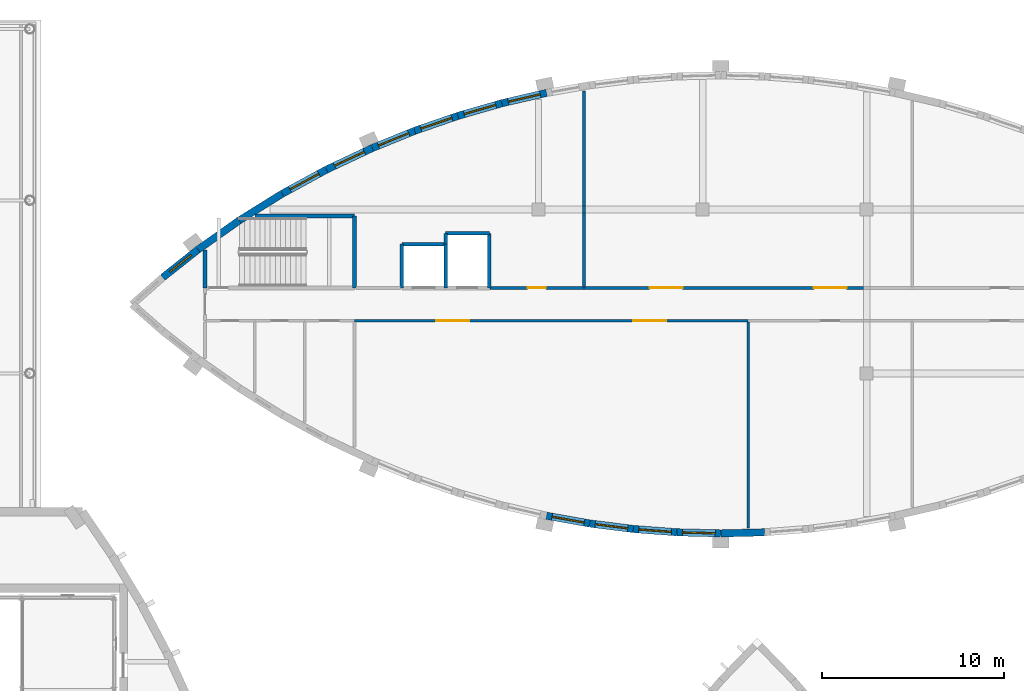
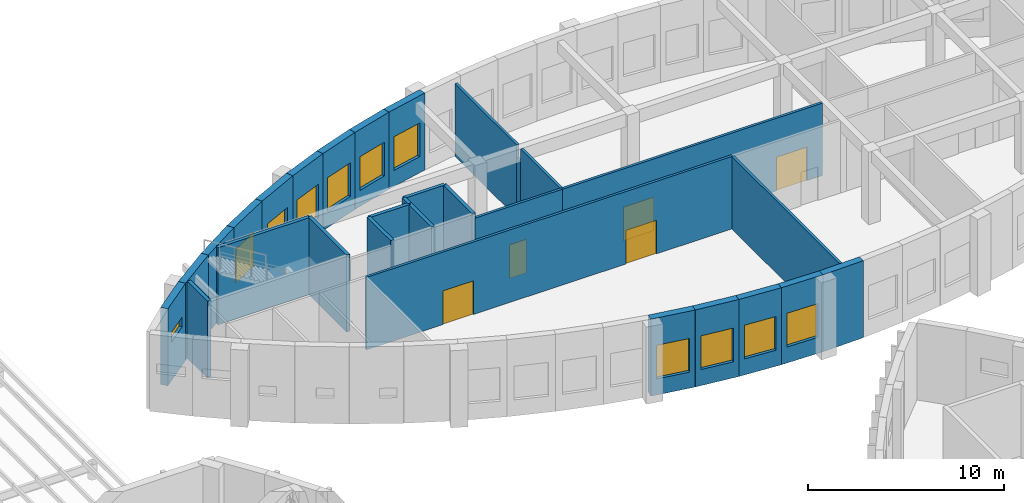
# One storey, part 71 of 93: 30 walls, 11 windows, 5 doors, 16 openings.
"""IFC4 building model written with IfcOpenShell, lengths in metres."""

from ifc_helpers import new_model, si_unit, direction, frame, frame_2d, origin, place, context, subcontext, project, spatial, rectangle, extrude, material, layer, layer_set, type_object, element, fill, save


model = new_model("IFC4")

# Units and contexts
model_context = context("Model", 3, precision=1e-05, world=origin(), true_north=direction((0.0, 1.0)))
body_context = subcontext(model_context, "Body", "Model", "MODEL_VIEW")
ifc_project = project(units=[si_unit("LENGTHUNIT", "METRE"), si_unit("AREAUNIT", "SQUARE_METRE"), si_unit("VOLUMEUNIT", "CUBIC_METRE"), si_unit("PLANEANGLEUNIT", "RADIAN"), si_unit("MASSUNIT", "GRAM", prefix="KILO")], contexts=[model_context])

# Site, building, storey
site_placement = place(None, origin())
site = spatial("IfcSite", under=ifc_project, at=site_placement, CompositionType="ELEMENT")
building_placement = place(site_placement, origin())
building = spatial("IfcBuilding", under=site, at=building_placement, Name="Tide Square Theatres", CompositionType="ELEMENT")
storey_placement = place(building_placement, frame((0.0, 0.0, 5.39990234375)))
storey = spatial("IfcBuildingStorey", under=building, at=storey_placement, Name="L01", CompositionType="ELEMENT", Elevation=5.39990234375)

# Wall, openings, doors
ifc_material_1 = material(Name="Gypsum board on steel studs", Category="steel")
ifc_layer_1 = layer(ifc_material_1, 0.14990234375)
ifc_layer_set_1 = layer_set([ifc_layer_1], Name="Gypsum board on steel studs")
wall_type_1 = type_object("IfcWallType", Name="Partition 150 thick", PredefinedType="PARTITIONING", material=ifc_layer_set_1)
wall_1_placement = place(storey_placement, frame((131.5, 96.89990234375, 0.0), z_axis=(0.0, 0.0, 1.0), x_axis=(-1.0, 0.0, 0.0)))
wall_1 = element("IfcWall", 1, at=wall_1_placement, inside=storey, type_object=wall_type_1, Name="Rehearsal Block partition", PredefinedType="PARTITIONING", context=body_context, shape_type="SweptSolid", body=[
    extrude(rectangle(XDim=21.60009765625, YDim=0.14990234375, at=frame_2d((10.800048828125, 0.0))), origin(), (0.0, 0.0, 1.0), 4.52001953125),
])
opening_1_placement = place(wall_1_placement, frame((15.300048828125, 0.0, 0.0)))
opening_1 = element("IfcOpeningElement", 2, at=opening_1_placement, cuts=wall_1, Name="Opening R1-09", PredefinedType="OPENING", context=body_context, shape_type="SweptSolid", body=[
    extrude(rectangle(XDim=1.800048828125, YDim=2.10009765625, at=frame_2d((0.89990234375, 1.050048828125))), frame((0.0, 0.0849609375, 0.0), z_axis=(0.0, -1.0, 0.0), x_axis=(1.0, 0.0, 0.0)), (0.0, 0.0, 1.0), 0.169921875),
])
opening_2_placement = place(wall_1_placement, frame((4.5, 0.0, 0.0)))
opening_2 = element("IfcOpeningElement", 3, at=opening_2_placement, cuts=wall_1, Name="Opening R1-10", PredefinedType="OPENING", context=body_context, shape_type="SweptSolid", body=[
    extrude(rectangle(XDim=1.800048828125, YDim=2.10009765625, at=frame_2d((0.89990234375, 1.050048828125))), frame((0.0, 0.0849609375, 0.0), z_axis=(0.0, -1.0, 0.0), x_axis=(1.0, 0.0, 0.0)), (0.0, 0.0, 1.0), 0.169921875),
])
ifc_material_2 = material(Name="Hardwood timber", Category="wood")
door_type_1 = type_object("IfcDoorType", Name="Door 1800 x 2100 double leaf", OperationType="DOUBLE_DOOR_SINGLE_SWING", PredefinedType="DOOR", material=ifc_material_2)
door_1_placement = place(opening_1_placement, origin())
door_1 = element("IfcDoor", 4, at=door_1_placement, inside=storey, type_object=door_type_1, Name="Rehearsal Block door R1-09 to Dance Studio", OperationType="DOUBLE_DOOR_SINGLE_SWING", OverallHeight=2.10009765625, OverallWidth=1.800048828125, PredefinedType="DOOR", context=body_context, shape_type="SweptSolid", body=[
    extrude(rectangle(XDim=1.800048828125, YDim=2.10009765625, at=frame_2d((0.89990234375, 1.050048828125))), frame((0.0, 0.02490234375, 0.0), z_axis=(0.0, -1.0, 0.0), x_axis=(1.0, 0.0, 0.0)), (0.0, 0.0, 1.0), 0.050048828125),
])
fill(opening_1, door_1)
door_2_placement = place(opening_2_placement, origin())
door_2 = element("IfcDoor", 5, at=door_2_placement, inside=storey, type_object=door_type_1, Name="Rehearsal Block door R1-10 to Dance Studio", OperationType="DOUBLE_DOOR_SINGLE_SWING", OverallHeight=2.10009765625, OverallWidth=1.800048828125, PredefinedType="DOOR", context=body_context, shape_type="SweptSolid", body=[
    extrude(rectangle(XDim=1.800048828125, YDim=2.10009765625, at=frame_2d((0.89990234375, 1.050048828125))), frame((0.0, 0.02490234375, 0.0), z_axis=(0.0, -1.0, 0.0), x_axis=(1.0, 0.0, 0.0)), (0.0, 0.0, 1.0), 0.050048828125),
])
fill(opening_2, door_2)

# Wall, opening, door
wall_2_placement = place(storey_placement, frame((117.330078125, 98.699951171875, 0.0), z_axis=(0.0, 0.0, 1.0), x_axis=(1.0, 0.0, 0.0)))
wall_2 = element("IfcWall", 6, at=wall_2_placement, inside=storey, type_object=wall_type_1, Name="Rehearsal Block partition", PredefinedType="PARTITIONING", context=body_context, shape_type="SweptSolid", body=[
    extrude(rectangle(XDim=5.169921875, YDim=0.14990234375, at=frame_2d((2.5849609375, 0.0))), origin(), (0.0, 0.0, 1.0), 4.52001953125),
])
opening_3_placement = place(wall_2_placement, frame((2.070068359375, 0.0, 0.0)))
opening_3 = element("IfcOpeningElement", 7, at=opening_3_placement, cuts=wall_2, Name="Opening R1-13", PredefinedType="OPENING", context=body_context, shape_type="SweptSolid", body=[
    extrude(rectangle(XDim=1.0, YDim=2.10009765625, at=frame_2d((0.5, 1.050048828125))), frame((0.0, 0.0849609375, 0.0), z_axis=(0.0, -1.0, 0.0), x_axis=(1.0, 0.0, 0.0)), (0.0, 0.0, 1.0), 0.169921875),
])
ifc_material_3 = material(Name="Hardwood timber", Category="wood")
door_type_2 = type_object("IfcDoorType", Name="Door 1000 x 2100 single leaf", OperationType="NOTDEFINED", PredefinedType="DOOR", material=ifc_material_3)
door_3_placement = place(opening_3_placement, origin())
door_3 = element("IfcDoor", 8, at=door_3_placement, inside=storey, type_object=door_type_2, Name="Rehearsal Block door R1-13 to Rehearsal Room 01", OperationType="SINGLE_SWING_RIGHT", OverallHeight=2.10009765625, OverallWidth=1.0, PredefinedType="DOOR", context=body_context, shape_type="SweptSolid", body=[
    extrude(rectangle(XDim=1.0, YDim=2.10009765625, at=frame_2d((0.5, 1.050048828125))), frame((0.0, 0.02490234375, 0.0), z_axis=(0.0, -1.0, 0.0), x_axis=(1.0, 0.0, 0.0)), (0.0, 0.0, 1.0), 0.050048828125),
])
fill(opening_3, door_3)

# Wall, openings, doors
wall_3_placement = place(storey_placement, frame((122.5, 98.699951171875, 0.0), z_axis=(0.0, 0.0, 1.0), x_axis=(1.0, 0.0, 0.0)))
wall_3 = element("IfcWall", 9, at=wall_3_placement, inside=storey, type_object=wall_type_1, Name="Rehearsal Block partition", PredefinedType="PARTITIONING", context=body_context, shape_type="SweptSolid", body=[
    extrude(rectangle(XDim=15.324951171875, YDim=0.14990234375, at=frame_2d((7.66259765625, 0.0))), origin(), (0.0, 0.0, 1.0), 4.52001953125),
])
opening_4_placement = place(wall_3_placement, frame((12.60009765625, 0.0, 0.0)))
opening_4 = element("IfcOpeningElement", 10, at=opening_4_placement, cuts=wall_3, Name="Opening R1-14", PredefinedType="OPENING", context=body_context, shape_type="SweptSolid", body=[
    extrude(rectangle(XDim=1.800048828125, YDim=2.10009765625, at=frame_2d((0.89990234375, 1.050048828125))), frame((0.0, 0.0849609375, 0.0), z_axis=(0.0, -1.0, 0.0), x_axis=(1.0, 0.0, 0.0)), (0.0, 0.0, 1.0), 0.169921875),
])
opening_5_placement = place(wall_3_placement, frame((3.60009765625, 0.0, 0.0)))
opening_5 = element("IfcOpeningElement", 11, at=opening_5_placement, cuts=wall_3, Name="Opening R1-15", PredefinedType="OPENING", context=body_context, shape_type="SweptSolid", body=[
    extrude(rectangle(XDim=1.800048828125, YDim=2.10009765625, at=frame_2d((0.89990234375, 1.050048828125))), frame((0.0, 0.0849609375, 0.0), z_axis=(0.0, -1.0, 0.0), x_axis=(1.0, 0.0, 0.0)), (0.0, 0.0, 1.0), 0.169921875),
])
door_4_placement = place(opening_4_placement, origin())
door_4 = element("IfcDoor", 12, at=door_4_placement, inside=storey, type_object=door_type_1, Name="Rehearsal Block door R1-14 to Rehearsal Room 02", OperationType="DOUBLE_DOOR_SINGLE_SWING", OverallHeight=2.10009765625, OverallWidth=1.800048828125, PredefinedType="DOOR", context=body_context, shape_type="SweptSolid", body=[
    extrude(rectangle(XDim=1.800048828125, YDim=2.10009765625, at=frame_2d((0.89990234375, 1.050048828125))), frame((0.0, 0.02490234375, 0.0), z_axis=(0.0, -1.0, 0.0), x_axis=(1.0, 0.0, 0.0)), (0.0, 0.0, 1.0), 0.050048828125),
])
fill(opening_4, door_4)
door_5_placement = place(opening_5_placement, origin())
door_5 = element("IfcDoor", 13, at=door_5_placement, inside=storey, type_object=door_type_1, Name="Rehearsal Block door R1-15 to Rehearsal Room 02", OperationType="DOUBLE_DOOR_SINGLE_SWING", OverallHeight=2.10009765625, OverallWidth=1.800048828125, PredefinedType="DOOR", context=body_context, shape_type="SweptSolid", body=[
    extrude(rectangle(XDim=1.800048828125, YDim=2.10009765625, at=frame_2d((0.89990234375, 1.050048828125))), frame((0.0, 0.02490234375, 0.0), z_axis=(0.0, -1.0, 0.0), x_axis=(1.0, 0.0, 0.0)), (0.0, 0.0, 1.0), 0.050048828125),
])
fill(opening_5, door_5)

# Walls
wall_4_placement = place(storey_placement, frame((122.5, 109.515869140625, 0.0), z_axis=(0.0, 0.0, 1.0), x_axis=(0.0, -1.0, 0.0)))
element("IfcWall", 14, at=wall_4_placement, inside=storey, type_object=wall_type_1, Name="Rehearsal Block partition", PredefinedType="PARTITIONING", context=body_context, shape_type="SweptSolid", body=[
    extrude(rectangle(XDim=6.31591796875, YDim=0.14990234375, at=frame_2d((3.157958984375, 0.0))), origin(), (0.0, 0.0, 1.0), 4.52001953125),
])
wall_5_placement = place(storey_placement, frame((122.5, 103.199951171875, 0.0), z_axis=(0.0, 0.0, 1.0), x_axis=(0.0, -1.0, 0.0)))
element("IfcWall", 15, at=wall_5_placement, inside=storey, type_object=wall_type_1, Name="Rehearsal Block partition", PredefinedType="PARTITIONING", context=body_context, shape_type="SweptSolid", body=[
    extrude(rectangle(XDim=0.39990234375, YDim=0.14990234375, at=frame_2d((0.199951171875, 0.0))), origin(), (0.0, 0.0, 1.0), 3.72021484375),
])
wall_6_placement = place(storey_placement, frame((122.5, 102.800048828125, 0.0), z_axis=(0.0, 0.0, 1.0), x_axis=(0.0, -1.0, 0.0)))
element("IfcWall", 16, at=wall_6_placement, inside=storey, type_object=wall_type_1, Name="Rehearsal Block partition", PredefinedType="PARTITIONING", context=body_context, shape_type="SweptSolid", body=[
    extrude(rectangle(XDim=4.0400390625, YDim=0.14990234375, at=frame_2d((2.02001953125, 0.0))), origin(), (0.0, 0.0, 1.0), 4.52001953125),
])
wall_7_placement = place(storey_placement, frame((131.5, 96.840087890625, 0.0), z_axis=(0.0, 0.0, 1.0), x_axis=(0.0, -1.0, 0.0)))
element("IfcWall", 17, at=wall_7_placement, inside=storey, type_object=wall_type_1, Name="Rehearsal Block partition", PredefinedType="PARTITIONING", context=body_context, shape_type="SweptSolid", body=[
    extrude(rectangle(XDim=11.321044921875, YDim=0.14990234375, at=frame_2d((5.66064453125, 0.0))), origin(), (0.0, 0.0, 1.0), 4.52001953125),
])

# Wall, opening, window
ifc_material_4 = material(Name="Concrete C40", Category="concrete")
ifc_layer_2 = layer(ifc_material_4, 0.39990234375)
ifc_layer_set_2 = layer_set([ifc_layer_2], Name="Concrete C40")
wall_type_2 = type_object("IfcWallType", Name="RC curved wall 400 thick", PredefinedType="SOLIDWALL", material=ifc_layer_set_2)
wall_8_placement = place(storey_placement, frame((120.440185546875, 86.197021484375, 0.0), z_axis=(0.0, 0.0, 1.0), x_axis=(0.984524011381, -0.175249738987, 0.0)))
wall_8 = element("IfcWall", 18, at=wall_8_placement, inside=storey, type_object=wall_type_2, Name="Rehearsal Block perimeter wall 010", PredefinedType="SOLIDWALL", context=body_context, shape_type="SweptSolid", body=[
    extrude(rectangle(XDim=2.406005859375, YDim=0.39990234375, at=frame_2d((1.203125, 0.0))), origin(), (0.0, 0.0, 1.0), 4.800048828125),
])
opening_6_placement = place(wall_8_placement, frame((0.302978515625, 0.0, 1.0)))
opening_6 = element("IfcOpeningElement", 19, at=opening_6_placement, cuts=wall_8, Name="Opening WN-14", PredefinedType="OPENING", context=body_context, shape_type="SweptSolid", body=[
    extrude(rectangle(XDim=1.800048828125, YDim=2.10009765625, at=frame_2d((0.89990234375, 1.050048828125))), frame((0.0, 0.2099609375, 0.0), z_axis=(0.0, -1.0, 0.0), x_axis=(1.0, 0.0, 0.0)), (0.0, 0.0, 1.0), 0.419921875),
])
ifc_material_5 = material(Name="Aluminium with laminated glass", Category="aluminium")
window_type_1 = type_object("IfcWindowType", Name="Window 1800 x 2100", PartitioningType="DOUBLE_PANEL_VERTICAL", PredefinedType="WINDOW", material=ifc_material_5)
window_1_placement = place(opening_6_placement, origin())
window_1 = element("IfcWindow", 20, at=window_1_placement, inside=storey, type_object=window_type_1, Name="Rehearsal Block window L01-53", OverallHeight=2.10009765625, OverallWidth=1.800048828125, PartitioningType="SINGLE_PANEL", PredefinedType="WINDOW", context=body_context, shape_type="SweptSolid", body=[
    extrude(rectangle(XDim=1.800048828125, YDim=2.10009765625, at=frame_2d((0.89990234375, 1.050048828125))), frame((0.0, 0.030029296875, 0.0), z_axis=(0.0, -1.0, 0.0), x_axis=(1.0, 0.0, 0.0)), (0.0, 0.0, 1.0), 0.06005859375),
])
fill(opening_6, window_1)

wall_9_placement = place(storey_placement, frame((122.808837890625, 85.775390625, 0.0), z_axis=(0.0, 0.0, 1.0), x_axis=(0.99208939311, -0.125533406227, 0.0)))
wall_9 = element("IfcWall", 21, at=wall_9_placement, inside=storey, type_object=wall_type_2, Name="Rehearsal Block perimeter wall 011", PredefinedType="SOLIDWALL", context=body_context, shape_type="SweptSolid", body=[
    extrude(rectangle(XDim=2.40576171875, YDim=0.39990234375, at=frame_2d((1.202880859375, 0.0))), origin(), (0.0, 0.0, 1.0), 4.800048828125),
])
opening_7_placement = place(wall_9_placement, frame((0.302978515625, 0.0, 1.0)))
opening_7 = element("IfcOpeningElement", 22, at=opening_7_placement, cuts=wall_9, Name="Opening WN-14", PredefinedType="OPENING", context=body_context, shape_type="SweptSolid", body=[
    extrude(rectangle(XDim=1.800048828125, YDim=2.10009765625, at=frame_2d((0.89990234375, 1.050048828125))), frame((0.0, 0.2099609375, 0.0), z_axis=(0.0, -1.0, 0.0), x_axis=(1.0, 0.0, 0.0)), (0.0, 0.0, 1.0), 0.419921875),
])
window_2_placement = place(opening_7_placement, origin())
window_2 = element("IfcWindow", 23, at=window_2_placement, inside=storey, type_object=window_type_1, Name="Rehearsal Block window L01-54", OverallHeight=2.10009765625, OverallWidth=1.800048828125, PartitioningType="SINGLE_PANEL", PredefinedType="WINDOW", context=body_context, shape_type="SweptSolid", body=[
    extrude(rectangle(XDim=1.800048828125, YDim=2.10009765625, at=frame_2d((0.89990234375, 1.050048828125))), frame((0.0, 0.030029296875, 0.0), z_axis=(0.0, -1.0, 0.0), x_axis=(1.0, 0.0, 0.0)), (0.0, 0.0, 1.0), 0.06005859375),
])
fill(opening_7, window_2)

wall_10_placement = place(storey_placement, frame((125.195556640625, 85.473388671875, 0.0), z_axis=(0.0, 0.0, 1.0), x_axis=(0.997146276918, -0.075493724435, 0.0)))
wall_10 = element("IfcWall", 24, at=wall_10_placement, inside=storey, type_object=wall_type_2, Name="Rehearsal Block perimeter wall 012", PredefinedType="SOLIDWALL", context=body_context, shape_type="SweptSolid", body=[
    extrude(rectangle(XDim=2.406005859375, YDim=0.39990234375, at=frame_2d((1.203125, 0.0))), origin(), (0.0, 0.0, 1.0), 4.800048828125),
])
opening_8_placement = place(wall_10_placement, frame((0.302978515625, 0.0, 1.0)))
opening_8 = element("IfcOpeningElement", 25, at=opening_8_placement, cuts=wall_10, Name="Opening WN-14", PredefinedType="OPENING", context=body_context, shape_type="SweptSolid", body=[
    extrude(rectangle(XDim=1.800048828125, YDim=2.10009765625, at=frame_2d((0.89990234375, 1.050048828125))), frame((0.0, 0.2099609375, 0.0), z_axis=(0.0, -1.0, 0.0), x_axis=(1.0, 0.0, 0.0)), (0.0, 0.0, 1.0), 0.419921875),
])
window_3_placement = place(opening_8_placement, origin())
window_3 = element("IfcWindow", 26, at=window_3_placement, inside=storey, type_object=window_type_1, Name="Rehearsal Block window L01-55", OverallHeight=2.10009765625, OverallWidth=1.800048828125, PartitioningType="SINGLE_PANEL", PredefinedType="WINDOW", context=body_context, shape_type="SweptSolid", body=[
    extrude(rectangle(XDim=1.800048828125, YDim=2.10009765625, at=frame_2d((0.89990234375, 1.050048828125))), frame((0.0, 0.030029296875, 0.0), z_axis=(0.0, -1.0, 0.0), x_axis=(1.0, 0.0, 0.0)), (0.0, 0.0, 1.0), 0.06005859375),
])
fill(opening_8, window_3)

wall_11_placement = place(storey_placement, frame((127.5947265625, 85.291748046875, 0.0), z_axis=(0.0, 0.0, 1.0), x_axis=(0.999683321759, -0.025164582196, 0.0)))
wall_11 = element("IfcWall", 27, at=wall_11_placement, inside=storey, type_object=wall_type_2, Name="Rehearsal Block perimeter wall 013", PredefinedType="SOLIDWALL", context=body_context, shape_type="SweptSolid", body=[
    extrude(rectangle(XDim=2.406005859375, YDim=0.39990234375, at=frame_2d((1.203125, 0.0))), origin(), (0.0, 0.0, 1.0), 4.800048828125),
])
opening_9_placement = place(wall_11_placement, frame((0.302978515625, 0.0, 1.0)))
opening_9 = element("IfcOpeningElement", 28, at=opening_9_placement, cuts=wall_11, Name="Opening WN-14", PredefinedType="OPENING", context=body_context, shape_type="SweptSolid", body=[
    extrude(rectangle(XDim=1.800048828125, YDim=2.10009765625, at=frame_2d((0.89990234375, 1.050048828125))), frame((0.0, 0.2099609375, 0.0), z_axis=(0.0, -1.0, 0.0), x_axis=(1.0, 0.0, 0.0)), (0.0, 0.0, 1.0), 0.419921875),
])
window_4_placement = place(opening_9_placement, origin())
window_4 = element("IfcWindow", 29, at=window_4_placement, inside=storey, type_object=window_type_1, Name="Rehearsal Block window L01-56", OverallHeight=2.10009765625, OverallWidth=1.800048828125, PartitioningType="SINGLE_PANEL", PredefinedType="WINDOW", context=body_context, shape_type="SweptSolid", body=[
    extrude(rectangle(XDim=1.800048828125, YDim=2.10009765625, at=frame_2d((0.89990234375, 1.050048828125))), frame((0.0, 0.030029296875, 0.0), z_axis=(0.0, -1.0, 0.0), x_axis=(1.0, 0.0, 0.0)), (0.0, 0.0, 1.0), 0.06005859375),
])
fill(opening_9, window_4)

# Wall
wall_12_placement = place(storey_placement, frame((130.0, 85.231201171875, 0.0), z_axis=(0.0, 0.0, 1.0), x_axis=(0.999683321759, 0.025164582196, 0.0)))
element("IfcWall", 30, at=wall_12_placement, inside=storey, type_object=wall_type_2, Name="Rehearsal Block perimeter wall 014", PredefinedType="SOLIDWALL", context=body_context, shape_type="SweptSolid", body=[
    extrude(rectangle(XDim=2.406005859375, YDim=0.39990234375, at=frame_2d((1.203125, 0.0))), origin(), (0.0, 0.0, 1.0), 4.800048828125),
])

# Wall, opening, window
wall_13_placement = place(storey_placement, frame((120.440185546875, 109.403076171875, 0.0), z_axis=(0.0, 0.0, 1.0), x_axis=(-0.974189274843, -0.225732710925, 0.0)))
wall_13 = element("IfcWall", 31, at=wall_13_placement, inside=storey, type_object=wall_type_2, Name="Rehearsal Block perimeter wall 046", PredefinedType="SOLIDWALL", context=body_context, shape_type="SweptSolid", body=[
    extrude(rectangle(XDim=2.511474609375, YDim=0.39990234375, at=frame_2d((1.255859375, 0.0))), origin(), (0.0, 0.0, 1.0), 4.800048828125),
])
opening_10_placement = place(wall_13_placement, frame((0.355712890625, 0.0, 1.0)))
opening_10 = element("IfcOpeningElement", 32, at=opening_10_placement, cuts=wall_13, Name="Opening WN-14", PredefinedType="OPENING", context=body_context, shape_type="SweptSolid", body=[
    extrude(rectangle(XDim=1.800048828125, YDim=2.10009765625, at=frame_2d((0.89990234375, 1.050048828125))), frame((0.0, 0.2099609375, 0.0), z_axis=(0.0, -1.0, 0.0), x_axis=(1.0, 0.0, 0.0)), (0.0, 0.0, 1.0), 0.419921875),
])
window_5_placement = place(opening_10_placement, origin())
window_5 = element("IfcWindow", 33, at=window_5_placement, inside=storey, type_object=window_type_1, Name="Rehearsal Block window L01-83", OverallHeight=2.10009765625, OverallWidth=1.800048828125, PartitioningType="SINGLE_PANEL", PredefinedType="WINDOW", context=body_context, shape_type="SweptSolid", body=[
    extrude(rectangle(XDim=1.800048828125, YDim=2.10009765625, at=frame_2d((0.89990234375, 1.050048828125))), frame((0.0, 0.030029296875, 0.0), z_axis=(0.0, -1.0, 0.0), x_axis=(1.0, 0.0, 0.0)), (0.0, 0.0, 1.0), 0.06005859375),
])
fill(opening_10, window_5)

wall_14_placement = place(storey_placement, frame((117.99365234375, 108.836181640625, 0.0), z_axis=(0.0, 0.0, 1.0), x_axis=(-0.961008605775, -0.276518461637, 0.0)))
wall_14 = element("IfcWall", 34, at=wall_14_placement, inside=storey, type_object=wall_type_2, Name="Rehearsal Block perimeter wall 047", PredefinedType="SOLIDWALL", context=body_context, shape_type="SweptSolid", body=[
    extrude(rectangle(XDim=2.510986328125, YDim=0.39990234375, at=frame_2d((1.25537109375, 0.0))), origin(), (0.0, 0.0, 1.0), 4.800048828125),
])
opening_11_placement = place(wall_14_placement, frame((0.35546875, 0.0, 1.0)))
opening_11 = element("IfcOpeningElement", 35, at=opening_11_placement, cuts=wall_14, Name="Opening WN-14", PredefinedType="OPENING", context=body_context, shape_type="SweptSolid", body=[
    extrude(rectangle(XDim=1.800048828125, YDim=2.10009765625, at=frame_2d((0.89990234375, 1.050048828125))), frame((0.0, 0.2099609375, 0.0), z_axis=(0.0, -1.0, 0.0), x_axis=(1.0, 0.0, 0.0)), (0.0, 0.0, 1.0), 0.419921875),
])
window_6_placement = place(opening_11_placement, origin())
window_6 = element("IfcWindow", 36, at=window_6_placement, inside=storey, type_object=window_type_1, Name="Rehearsal Block window L01-84", OverallHeight=2.10009765625, OverallWidth=1.800048828125, PartitioningType="SINGLE_PANEL", PredefinedType="WINDOW", context=body_context, shape_type="SweptSolid", body=[
    extrude(rectangle(XDim=1.800048828125, YDim=2.10009765625, at=frame_2d((0.89990234375, 1.050048828125))), frame((0.0, 0.030029296875, 0.0), z_axis=(0.0, -1.0, 0.0), x_axis=(1.0, 0.0, 0.0)), (0.0, 0.0, 1.0), 0.06005859375),
])
fill(opening_11, window_6)

wall_15_placement = place(storey_placement, frame((115.58056640625, 108.141845703125, 0.0), z_axis=(0.0, 0.0, 1.0), x_axis=(-0.945175475032, -0.326562890417, 0.0)))
wall_15 = element("IfcWall", 37, at=wall_15_placement, inside=storey, type_object=wall_type_2, Name="Rehearsal Block perimeter wall 048", PredefinedType="SOLIDWALL", context=body_context, shape_type="SweptSolid", body=[
    extrude(rectangle(XDim=2.51123046875, YDim=0.39990234375, at=frame_2d((1.255615234375, 0.0))), origin(), (0.0, 0.0, 1.0), 4.800048828125),
])
opening_12_placement = place(wall_15_placement, frame((0.35546875, 0.0, 1.0)))
opening_12 = element("IfcOpeningElement", 38, at=opening_12_placement, cuts=wall_15, Name="Opening WN-14", PredefinedType="OPENING", context=body_context, shape_type="SweptSolid", body=[
    extrude(rectangle(XDim=1.800048828125, YDim=2.10009765625, at=frame_2d((0.89990234375, 1.050048828125))), frame((0.0, 0.2099609375, 0.0), z_axis=(0.0, -1.0, 0.0), x_axis=(1.0, 0.0, 0.0)), (0.0, 0.0, 1.0), 0.419921875),
])
window_7_placement = place(opening_12_placement, origin())
window_7 = element("IfcWindow", 39, at=window_7_placement, inside=storey, type_object=window_type_1, Name="Rehearsal Block window L01-85", OverallHeight=2.10009765625, OverallWidth=1.800048828125, PartitioningType="SINGLE_PANEL", PredefinedType="WINDOW", context=body_context, shape_type="SweptSolid", body=[
    extrude(rectangle(XDim=1.800048828125, YDim=2.10009765625, at=frame_2d((0.89990234375, 1.050048828125))), frame((0.0, 0.030029296875, 0.0), z_axis=(0.0, -1.0, 0.0), x_axis=(1.0, 0.0, 0.0)), (0.0, 0.0, 1.0), 0.06005859375),
])
fill(opening_12, window_7)

wall_16_placement = place(storey_placement, frame((113.20703125, 107.32177734375, 0.0), z_axis=(0.0, 0.0, 1.0), x_axis=(-0.926688932252, -0.375829246921, 0.0)))
wall_16 = element("IfcWall", 40, at=wall_16_placement, inside=storey, type_object=wall_type_2, Name="Rehearsal Block perimeter wall 049", PredefinedType="SOLIDWALL", context=body_context, shape_type="SweptSolid", body=[
    extrude(rectangle(XDim=2.5107421875, YDim=0.39990234375, at=frame_2d((1.25537109375, 0.0))), origin(), (0.0, 0.0, 1.0), 4.800048828125),
])
opening_13_placement = place(wall_16_placement, frame((0.35546875, 0.0, 1.0)))
opening_13 = element("IfcOpeningElement", 41, at=opening_13_placement, cuts=wall_16, Name="Opening WN-14", PredefinedType="OPENING", context=body_context, shape_type="SweptSolid", body=[
    extrude(rectangle(XDim=1.800048828125, YDim=2.10009765625, at=frame_2d((0.89990234375, 1.050048828125))), frame((0.0, 0.2099609375, 0.0), z_axis=(0.0, -1.0, 0.0), x_axis=(1.0, 0.0, 0.0)), (0.0, 0.0, 1.0), 0.419921875),
])
window_8_placement = place(opening_13_placement, origin())
window_8 = element("IfcWindow", 42, at=window_8_placement, inside=storey, type_object=window_type_1, Name="Rehearsal Block window L01-86", OverallHeight=2.10009765625, OverallWidth=1.800048828125, PartitioningType="SINGLE_PANEL", PredefinedType="WINDOW", context=body_context, shape_type="SweptSolid", body=[
    extrude(rectangle(XDim=1.800048828125, YDim=2.10009765625, at=frame_2d((0.89990234375, 1.050048828125))), frame((0.0, 0.030029296875, 0.0), z_axis=(0.0, -1.0, 0.0), x_axis=(1.0, 0.0, 0.0)), (0.0, 0.0, 1.0), 0.06005859375),
])
fill(opening_13, window_8)

wall_17_placement = place(storey_placement, frame((110.88037109375, 106.378173828125, 0.0), z_axis=(0.0, 0.0, 1.0), x_axis=(-0.904561064695, -0.42634408667, 0.0)))
wall_17 = element("IfcWall", 43, at=wall_17_placement, inside=storey, type_object=wall_type_2, Name="Rehearsal Block perimeter wall 050", PredefinedType="SOLIDWALL", context=body_context, shape_type="SweptSolid", body=[
    extrude(rectangle(XDim=2.772216796875, YDim=0.39990234375, at=frame_2d((1.38623046875, 0.0))), origin(), (0.0, 0.0, 1.0), 4.800048828125),
])
opening_14_placement = place(wall_17_placement, frame((0.486083984375, 0.0, 1.0)))
opening_14 = element("IfcOpeningElement", 44, at=opening_14_placement, cuts=wall_17, Name="Opening WN-14", PredefinedType="OPENING", context=body_context, shape_type="SweptSolid", body=[
    extrude(rectangle(XDim=1.800048828125, YDim=2.10009765625, at=frame_2d((0.89990234375, 1.050048828125))), frame((0.0, 0.2099609375, 0.0), z_axis=(0.0, -1.0, 0.0), x_axis=(1.0, 0.0, 0.0)), (0.0, 0.0, 1.0), 0.419921875),
])
window_9_placement = place(opening_14_placement, origin())
window_9 = element("IfcWindow", 45, at=window_9_placement, inside=storey, type_object=window_type_1, Name="Rehearsal Block window L01-87", OverallHeight=2.10009765625, OverallWidth=1.800048828125, PartitioningType="SINGLE_PANEL", PredefinedType="WINDOW", context=body_context, shape_type="SweptSolid", body=[
    extrude(rectangle(XDim=1.800048828125, YDim=2.10009765625, at=frame_2d((0.89990234375, 1.050048828125))), frame((0.0, 0.030029296875, 0.0), z_axis=(0.0, -1.0, 0.0), x_axis=(1.0, 0.0, 0.0)), (0.0, 0.0, 1.0), 0.06005859375),
])
fill(opening_14, window_9)

wall_18_placement = place(storey_placement, frame((108.372802734375, 105.1962890625, 0.0), z_axis=(0.0, 0.0, 1.0), x_axis=(-0.878255502871, -0.478191668347, 0.0)))
wall_18 = element("IfcWall", 46, at=wall_18_placement, inside=storey, type_object=wall_type_2, Name="Rehearsal Block perimeter wall 051", PredefinedType="SOLIDWALL", context=body_context, shape_type="SweptSolid", body=[
    extrude(rectangle(XDim=2.771728515625, YDim=0.39990234375, at=frame_2d((1.3857421875, 0.0))), origin(), (0.0, 0.0, 1.0), 4.800048828125),
])
opening_15_placement = place(wall_18_placement, frame((0.48583984375, 0.0, 1.0)))
opening_15 = element("IfcOpeningElement", 47, at=opening_15_placement, cuts=wall_18, Name="Opening WN-14", PredefinedType="OPENING", context=body_context, shape_type="SweptSolid", body=[
    extrude(rectangle(XDim=1.800048828125, YDim=2.10009765625, at=frame_2d((0.89990234375, 1.050048828125))), frame((0.0, 0.2099609375, 0.0), z_axis=(0.0, -1.0, 0.0), x_axis=(1.0, 0.0, 0.0)), (0.0, 0.0, 1.0), 0.419921875),
])
window_10_placement = place(opening_15_placement, origin())
window_10 = element("IfcWindow", 48, at=window_10_placement, inside=storey, type_object=window_type_1, Name="Rehearsal Block window L01-88", OverallHeight=2.10009765625, OverallWidth=1.800048828125, PartitioningType="SINGLE_PANEL", PredefinedType="WINDOW", context=body_context, shape_type="SweptSolid", body=[
    extrude(rectangle(XDim=1.800048828125, YDim=2.10009765625, at=frame_2d((0.89990234375, 1.050048828125))), frame((0.0, 0.030029296875, 0.0), z_axis=(0.0, -1.0, 0.0), x_axis=(1.0, 0.0, 0.0)), (0.0, 0.0, 1.0), 0.06005859375),
])
fill(opening_15, window_10)

# Walls
for number, where, z_axis, x_axis, name in (
    (49, (105.9384765625, 103.870849609375, 0.0), (0.0, 0.0, 1.0), (-0.84912946359, -0.528184772653, 0.0), "Rehearsal Block perimeter wall 052"),
    (50, (103.584716796875, 102.40673828125, 0.0), (0.0, 0.0, 1.0), (-0.817070367038, -0.57653795652, 0.0), "Rehearsal Block perimeter wall 053"),
):
    element("IfcWall", number, at=place(storey_placement, frame(where, z_axis=z_axis, x_axis=x_axis)), inside=storey, type_object=wall_type_2, Name=name, PredefinedType="SOLIDWALL", context=body_context, shape_type="SweptSolid", body=[
        extrude(rectangle(XDim=2.77197265625, YDim=0.39990234375, at=frame_2d((1.385986328125, 0.0))), origin(), (0.0, 0.0, 1.0), 4.800048828125),
    ])

# Wall, opening, window
wall_19_placement = place(storey_placement, frame((101.31982421875, 100.80859375, 0.0), z_axis=(0.0, 0.0, 1.0), x_axis=(-0.784278812541, -0.620408530082, 0.0)))
wall_19 = element("IfcWall", 51, at=wall_19_placement, inside=storey, type_object=wall_type_2, Name="Rehearsal Block perimeter wall 054", PredefinedType="SOLIDWALL", context=body_context, shape_type="SweptSolid", body=[
    extrude(rectangle(XDim=2.464111328125, YDim=0.39990234375, at=frame_2d((1.23193359375, 0.0))), origin(), (0.0, 0.0, 1.0), 4.800048828125),
])
opening_16_placement = place(wall_19_placement, frame((0.48193359375, 0.0, 2.39990234375)))
opening_16 = element("IfcOpeningElement", 52, at=opening_16_placement, cuts=wall_19, Name="Opening WN-05", PredefinedType="OPENING", context=body_context, shape_type="SweptSolid", body=[
    extrude(rectangle(XDim=1.5, YDim=0.60009765625, at=frame_2d((0.75, 0.300048828125))), frame((0.0, 0.2099609375, 0.0), z_axis=(0.0, -1.0, 0.0), x_axis=(1.0, 0.0, 0.0)), (0.0, 0.0, 1.0), 0.419921875),
])
ifc_material_6 = material(Name="Aluminium with laminated glass", Category="aluminium")
window_type_2 = type_object("IfcWindowType", Name="Window 1500 x 600", PartitioningType="SINGLE_PANEL", PredefinedType="WINDOW", material=ifc_material_6)
window_11_placement = place(opening_16_placement, origin())
window_11 = element("IfcWindow", 53, at=window_11_placement, inside=storey, type_object=window_type_2, Name="Rehearsal Block window L01-89", OverallHeight=0.60009765625, OverallWidth=1.5, PartitioningType="SINGLE_PANEL", PredefinedType="WINDOW", context=body_context, shape_type="SweptSolid", body=[
    extrude(rectangle(XDim=1.5, YDim=0.60009765625, at=frame_2d((0.75, 0.300048828125))), frame((0.0, 0.030029296875, 0.0), z_axis=(0.0, -1.0, 0.0), x_axis=(1.0, 0.0, 0.0)), (0.0, 0.0, 1.0), 0.06005859375),
])
fill(opening_16, window_11)

# Walls
ifc_material_7 = material(Name="Concrete C40", Category="concrete")
ifc_layer_3 = layer(ifc_material_7, 0.199951171875)
ifc_layer_set_3 = layer_set([ifc_layer_3], Name="Concrete C40")
wall_type_3 = type_object("IfcWallType", Name="RC shear wall 200 thick", PredefinedType="SHEAR", material=ifc_layer_set_3)
wall_20_placement = place(storey_placement, frame((104.448974609375, 102.64990234375, 0.0), z_axis=(0.0, 0.0, 1.0), x_axis=(1.0, 0.0, 0.0)))
element("IfcWall", 54, at=wall_20_placement, inside=storey, type_object=wall_type_3, Name="Rehearsal Block stair enclosure wall", PredefinedType="SHEAR", context=body_context, shape_type="SweptSolid", body=[
    extrude(rectangle(XDim=5.450927734375, YDim=0.199951171875, at=frame_2d((2.7255859375, 0.0))), origin(), (0.0, 0.0, 1.0), 4.800048828125),
])
wall_21_placement = place(storey_placement, frame((109.89990234375, 102.64990234375, 0.0), z_axis=(0.0, 0.0, 1.0), x_axis=(0.0, -1.0, 0.0)))
element("IfcWall", 55, at=wall_21_placement, inside=storey, type_object=wall_type_3, Name="Rehearsal Block stair enclosure wall", PredefinedType="SHEAR", context=body_context, shape_type="SweptSolid", body=[
    extrude(rectangle(XDim=3.949951171875, YDim=0.199951171875, at=frame_2d((1.97509765625, 0.0))), origin(), (0.0, 0.0, 1.0), 4.800048828125),
])
wall_22_placement = place(storey_placement, frame((101.699951171875, 98.699951171875, 0.0), z_axis=(0.0, 0.0, 1.0), x_axis=(0.0, 1.0, 0.0)))
element("IfcWall", 56, at=wall_22_placement, inside=storey, type_object=wall_type_3, Name="Rehearsal Block stair enclosure wall", PredefinedType="SHEAR", context=body_context, shape_type="SweptSolid", body=[
    extrude(rectangle(XDim=2.07080078125, YDim=0.199951171875, at=frame_2d((1.035400390625, 0.0))), origin(), (0.0, 0.0, 1.0), 4.800048828125),
])
wall_23_placement = place(storey_placement, frame((114.89990234375, 101.10009765625, 0.0), z_axis=(0.0, 0.0, 1.0), x_axis=(0.0, 1.0, 0.0)))
element("IfcWall", 57, at=wall_23_placement, inside=storey, type_object=wall_type_3, Name="Rehearsal Block lift shaft wall", PredefinedType="SHEAR", context=body_context, shape_type="SweptSolid", body=[
    extrude(rectangle(XDim=0.599853515625, YDim=0.199951171875, at=frame_2d((0.2998046875, 0.0))), origin(), (0.0, 0.0, 1.0), 4.800048828125),
])
wall_24_placement = place(storey_placement, frame((114.89990234375, 101.699951171875, 0.0), z_axis=(0.0, 0.0, 1.0), x_axis=(1.0, 0.0, 0.0)))
element("IfcWall", 58, at=wall_24_placement, inside=storey, type_object=wall_type_3, Name="Rehearsal Block lift shaft wall", PredefinedType="SHEAR", context=body_context, shape_type="SweptSolid", body=[
    extrude(rectangle(XDim=2.400146484375, YDim=0.199951171875, at=frame_2d((1.2001953125, 0.0))), origin(), (0.0, 0.0, 1.0), 4.800048828125),
])
wall_25_placement = place(storey_placement, frame((117.300048828125, 101.699951171875, 0.0), z_axis=(0.0, 0.0, 1.0), x_axis=(0.0, -1.0, 0.0)))
element("IfcWall", 59, at=wall_25_placement, inside=storey, type_object=wall_type_3, Name="Rehearsal Block lift shaft wall", PredefinedType="SHEAR", context=body_context, shape_type="SweptSolid", body=[
    extrude(rectangle(XDim=3.0, YDim=0.199951171875, at=frame_2d((1.5, 0.0))), origin(), (0.0, 0.0, 1.0), 4.800048828125),
])
for number, where, z_axis, x_axis, name in (
    (60, (114.89990234375, 101.10009765625, 0.0), (0.0, 0.0, 1.0), (0.0, -1.0, 0.0), "Rehearsal Block lift shaft wall"),
    (61, (112.5, 98.699951171875, 0.0), (0.0, 0.0, 1.0), (0.0, 1.0, 0.0), "Rehearsal Block lift shaft wall"),
):
    element("IfcWall", number, at=place(storey_placement, frame(where, z_axis=z_axis, x_axis=x_axis)), inside=storey, type_object=wall_type_3, Name=name, PredefinedType="SHEAR", context=body_context, shape_type="SweptSolid", body=[
        extrude(rectangle(XDim=2.400146484375, YDim=0.199951171875, at=frame_2d((1.2001953125, 0.0))), origin(), (0.0, 0.0, 1.0), 4.800048828125),
    ])
wall_26_placement = place(storey_placement, frame((112.5, 101.10009765625, 0.0), z_axis=(0.0, 0.0, 1.0), x_axis=(1.0, 0.0, 0.0)))
element("IfcWall", 62, at=wall_26_placement, inside=storey, type_object=wall_type_3, Name="Rehearsal Block lift shaft wall", PredefinedType="SHEAR", context=body_context, shape_type="SweptSolid", body=[
    extrude(rectangle(XDim=2.39990234375, YDim=0.199951171875, at=frame_2d((1.199951171875, 0.0))), origin(), (0.0, 0.0, 1.0), 4.800048828125),
])

save(model, "model.ifc")
